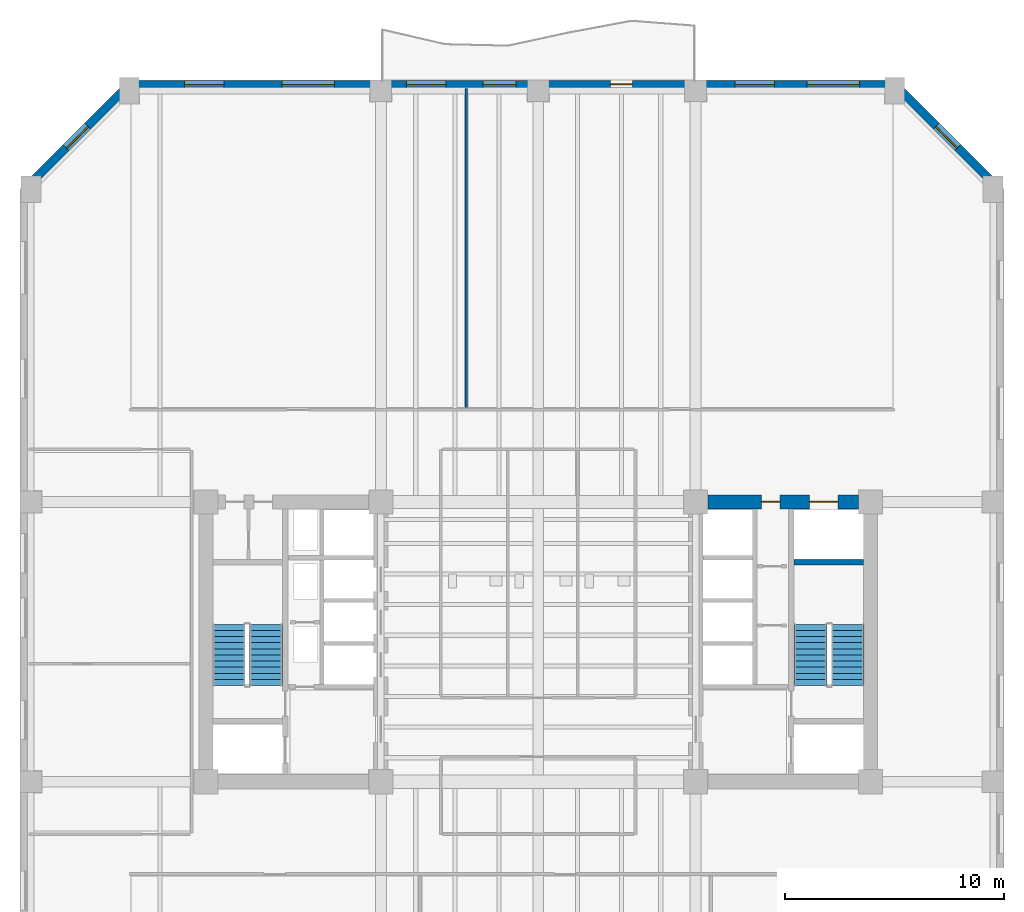
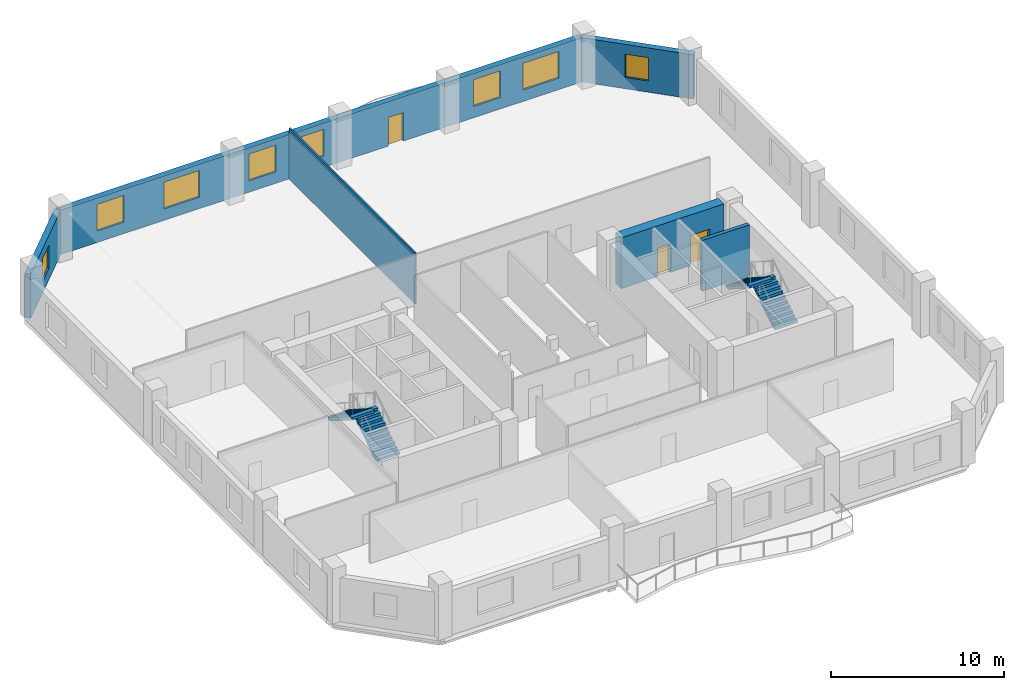
# One storey, part 5 of 10: 8 windows, 6 walls, 4 stair flights, 3 doors, 11 openings, 2 elements without a shape of their own.
"""IFC4 building model written with IfcOpenShell, lengths in metres."""

import ifcopenshell
import ifcopenshell.guid

model = None  # the IFC model being written
_history = None  # IfcOwnerHistory: only IFC2X3 demands one
_inside = {}  # id of a spatial element -> (the spatial element, [elements in it])
_under = {}  # id of a project, library or spatial element -> (it, [spatial elements below it])
_declared = {}  # id of a project -> (the project, [libraries it declares])
_typed = {}  # id of a type object -> (the type object, [elements of that type])
_made_of = {}  # id of a material, layer set ... -> (it, [elements and type objects made of it])


def new_model(schema):
    """Start an empty IFC model of exactly this schema.

    Asked for "IFC4X3", IfcOpenShell would pick the latest addendum, in which some entities
    have other attributes; the version numbers below select the first issue.
    IFC2X3 requires an IfcOwnerHistory on every rooted entity: one is made here for all.
    """
    global model, _history
    if schema == "IFC4X3":
        model = ifcopenshell.file(schema_version=(4, 3, 0, 0))
    else:
        model = ifcopenshell.file(schema=schema)
    _inside.clear()
    _under.clear()
    _declared.clear()
    _typed.clear()
    _made_of.clear()
    _history = None
    if model.schema == "IFC2X3":
        org = make("IfcOrganization", Name="unknown")
        user = make(
            "IfcPersonAndOrganization",
            ThePerson=make("IfcPerson", FamilyName="unknown"),
            TheOrganization=org,
        )
        app = make(
            "IfcApplication",
            ApplicationDeveloper=org,
            Version="unknown",
            ApplicationFullName="unknown",
            ApplicationIdentifier="unknown",
        )
        _history = make(
            "IfcOwnerHistory",
            OwningUser=user,
            OwningApplication=app,
            ChangeAction="ADDED",
            CreationDate=0,
        )
    return model


def make(cls, **values):
    """One entity of the class cls with the attributes given. An attribute that is None is left unset."""
    return model.create_entity(
        cls, **{name: value for name, value in values.items() if value is not None}
    )


def rooted(cls, **values):
    """An entity with a GlobalId (a new one), such as an element, a storey or a relation."""
    return make(cls, GlobalId=ifcopenshell.guid.new(), OwnerHistory=_history, **values)


def si_unit(unit_type, name, prefix=None):
    """IfcSIUnit, for example si_unit("LENGTHUNIT", "METRE", prefix="MILLI")."""
    return make("IfcSIUnit", UnitType=unit_type, Prefix=prefix, Name=name)


def assignment(units):
    """IfcUnitAssignment: the units of a project."""
    return None if units is None else make("IfcUnitAssignment", Units=units)


def point(xyz):
    """IfcCartesianPoint."""
    return None if xyz is None else make("IfcCartesianPoint", Coordinates=xyz)


def direction(xyz):
    """IfcDirection."""
    return None if xyz is None else make("IfcDirection", DirectionRatios=xyz)


def frame(location, z_axis=None, x_axis=None):
    """IfcAxis2Placement3D, a coordinate frame: its origin and axes. An axis left out is left unset."""
    return make(
        "IfcAxis2Placement3D",
        Location=point(location),
        Axis=direction(z_axis),
        RefDirection=direction(x_axis),
    )


def frame_2d(location, x_axis=None):
    """IfcAxis2Placement2D, a coordinate frame in the plane: its origin and x axis."""
    return make(
        "IfcAxis2Placement2D", Location=point(location), RefDirection=direction(x_axis)
    )


def origin():
    """The frame at (0, 0, 0) with its axes left unset."""
    return frame((0.0, 0.0, 0.0))


def place(relative_to, where):
    """IfcLocalPlacement: puts the frame where relative to a parent placement (None: the world)."""
    return make(
        "IfcLocalPlacement", PlacementRelTo=relative_to, RelativePlacement=where
    )


def context(
    kind, dimensions, precision=None, world=None, true_north=None, identifier=None
):
    """IfcGeometricRepresentationContext, for example the 3D "Model" context."""
    return make(
        "IfcGeometricRepresentationContext",
        ContextIdentifier=identifier,
        ContextType=kind,
        CoordinateSpaceDimension=dimensions,
        Precision=precision,
        WorldCoordinateSystem=world,
        TrueNorth=true_north,
    )


def subcontext(parent, identifier, kind, view, scale=None):
    """IfcGeometricRepresentationSubContext, for example "Body" below "Model"."""
    return make(
        "IfcGeometricRepresentationSubContext",
        ContextIdentifier=identifier,
        ContextType=kind,
        ParentContext=parent,
        TargetScale=scale,
        TargetView=view,
    )


def project(units=None, contexts=None):
    """IfcProject with its units and contexts."""
    return rooted(
        "IfcProject",
        Name="project",
        RepresentationContexts=contexts,
        UnitsInContext=assignment(units),
    )


def spatial(cls, under=None, at=None, **own):
    """A site, building, storey or space (cls), placed at a placement, below another one or the project."""
    s = rooted(cls, ObjectPlacement=at, **own)
    if under is not None:
        _under.setdefault(under.id(), (under, []))[1].append(s)
    return s


def polyline(points):
    """IfcPolyline through the points."""
    return make("IfcPolyline", Points=[point(p) for p in points])


def profile(cls, at=None, kind="AREA", **sizes):
    """A parametric profile (cls). Its sizes go by their IFC names, for example OverallWidth=200.0."""
    return make(cls, ProfileType=kind, Position=at, **sizes)


def rectangle(**sizes):
    """IfcRectangleProfileDef."""
    return profile("IfcRectangleProfileDef", **sizes)


def outline(outer, holes=None, kind="AREA"):
    """IfcArbitraryClosedProfileDef: a profile drawn as a closed curve; with holes, ...WithVoids."""
    if holes is None:
        return make("IfcArbitraryClosedProfileDef", ProfileType=kind, OuterCurve=outer)
    return make(
        "IfcArbitraryProfileDefWithVoids",
        ProfileType=kind,
        OuterCurve=outer,
        InnerCurves=holes,
    )


def extrude(swept, where, along, depth):
    """IfcExtrudedAreaSolid: the profile swept, set in the frame where, extruded along a direction by depth."""
    return make(
        "IfcExtrudedAreaSolid",
        SweptArea=swept,
        Position=where,
        ExtrudedDirection=direction(along),
        Depth=depth,
    )


def shape(context_of_items, identifier, shape_type, items):
    """IfcShapeRepresentation: the items that make up one representation, for example the "Body"."""
    return make(
        "IfcShapeRepresentation",
        ContextOfItems=context_of_items,
        RepresentationIdentifier=identifier,
        RepresentationType=shape_type,
        Items=items,
    )


def material(Name=None, Category=None):
    """IfcMaterial."""
    return make("IfcMaterial", Name=Name, Category=Category)


def layer(
    of_material, thickness, ventilated=None, Name=None, Category=None, Priority=None
):
    """IfcMaterialLayer: one layer of a wall or slab, of a material (None: an air gap)."""
    return make(
        "IfcMaterialLayer",
        Material=of_material,
        LayerThickness=thickness,
        IsVentilated=ventilated,
        Name=Name,
        Category=Category,
        Priority=Priority,
    )


def layer_set(layers, Name=None):
    """IfcMaterialLayerSet."""
    return make("IfcMaterialLayerSet", MaterialLayers=layers, LayerSetName=Name)


def made_of(thing, what):
    """Note that an element or type object is made of a material, layer set ...; save() writes the relation."""
    if what is not None:
        _made_of.setdefault(what.id(), (what, []))[1].append(thing)
    return thing


def type_object(cls, material=None, **own):
    """A type object (cls), such as IfcWallType, which elements share."""
    return made_of(rooted(cls, **own), material)


def element(
    cls,
    number,
    at=None,
    inside=None,
    cuts=None,
    type_object=None,
    material=None,
    context=None,
    identifier="Body",
    shape_type=None,
    held_by="IfcProductDefinitionShape",
    body=None,
    shapes=None,
    **own,
):
    """One element of the class cls, such as IfcWall. Its Tag is "e" and its number.

    at: its placement. inside: the storey or other place that contains it. cuts: it is an
    opening in that element (IfcRelVoidsElement). A single representation is given by context,
    identifier, shape_type and body (its items); several are given by shapes. held_by: the class
    of the entity that holds the representations. save() writes the other relations.
    """
    e = rooted(cls, Tag="e%d" % number, ObjectPlacement=at, **own)
    if body is not None:
        shapes = [shape(context, identifier, shape_type, body)]
    if shapes is not None:
        e.Representation = make(held_by, Representations=shapes)
    if inside is not None:
        _inside.setdefault(inside.id(), (inside, []))[1].append(e)
    if cuts is not None:
        rooted(
            "IfcRelVoidsElement", RelatingBuildingElement=cuts, RelatedOpeningElement=e
        )
    if type_object is not None:
        _typed.setdefault(type_object.id(), (type_object, []))[1].append(e)
    return made_of(e, material)


def fill(opening, filler):
    """IfcRelFillsElement: the door or window that sits in an opening."""
    return rooted(
        "IfcRelFillsElement",
        RelatingOpeningElement=opening,
        RelatedBuildingElement=filler,
    )


def aggregate(whole, parts):
    """IfcRelAggregates: a whole, such as a stair, and the parts it consists of."""
    return rooted("IfcRelAggregates", RelatingObject=whole, RelatedObjects=parts)


def save(model, path):
    """Write the relations noted so far, then the file.

    IfcRelAggregates (storeys below a building ...), IfcRelContainedInSpatialStructure (elements
    in a storey), IfcRelDefinesByType, IfcRelAssociatesMaterial and IfcRelDeclares: one each for
    every whole, place, type object, material and project.
    """
    for whole, parts in _under.values():
        aggregate(whole, parts)
    for where, things in _inside.values():
        rooted(
            "IfcRelContainedInSpatialStructure",
            RelatedElements=things,
            RelatingStructure=where,
        )
    for kind, things in _typed.values():
        rooted("IfcRelDefinesByType", RelatedObjects=things, RelatingType=kind)
    for what, things in _made_of.values():
        rooted("IfcRelAssociatesMaterial", RelatedObjects=things, RelatingMaterial=what)
    for by, libraries in _declared.values():
        rooted("IfcRelDeclares", RelatingContext=by, RelatedDefinitions=libraries)
    model.write(path)


model = new_model("IFC4")

# Units and contexts
model_context = context("Model", 3, precision=1e-05, world=origin(), true_north=direction((0.0, 1.0)))
body_context = subcontext(model_context, "Body", "Model", "MODEL_VIEW")
ifc_project = project(units=[si_unit("LENGTHUNIT", "METRE"), si_unit("AREAUNIT", "SQUARE_METRE"), si_unit("VOLUMEUNIT", "CUBIC_METRE"), si_unit("PLANEANGLEUNIT", "RADIAN"), si_unit("MASSUNIT", "GRAM", prefix="KILO")], contexts=[model_context])

# Site, building, storey
site_placement = place(None, origin())
site = spatial("IfcSite", under=ifc_project, at=site_placement, CompositionType="ELEMENT")
building_placement = place(site_placement, origin())
building = spatial("IfcBuilding", under=site, at=building_placement, Name="Kranthara Brick Stack", CompositionType="ELEMENT")
storey_placement = place(building_placement, frame((0.0, 0.0, 98.39990234375)))
storey = spatial("IfcBuildingStorey", under=building, at=storey_placement, Name="L24", CompositionType="ELEMENT", Elevation=98.39990234375)

# Wall, opening, window
ifc_material_1 = material(Name="Kiln-fired clay brick masonry M15", Category="masonry")
ifc_layer_1 = layer(ifc_material_1, 0.3798828125)
ifc_layer_set_1 = layer_set([ifc_layer_1], Name="Kiln-fired clay brick masonry M15")
wall_type_1 = type_object("IfcWallType", Name="WL-BRK-PIER-380", PredefinedType="STANDARD", material=ifc_layer_set_1)
wall_1_placement = place(storey_placement, frame((4.510009765625, 47.89990234375, 0.0), z_axis=(0.0, 0.0, 1.0), x_axis=(0.707106781187, 0.707106781187, 0.0)))
wall_1 = element("IfcWall", 1, at=wall_1_placement, inside=storey, type_object=wall_type_1, Name="L24 Exterior Brick Facade Wall NW 1", PredefinedType="STANDARD", context=body_context, shape_type="SweptSolid", body=[
    extrude(rectangle(XDim=6.774169921875, YDim=0.3798828125, at=frame_2d((3.38720703125, 0.0))), origin(), (0.0, 0.0, 1.0), 3.135009765625),
])
opening_1_placement = place(wall_1_placement, frame((2.68701171875, 0.0, 0.800048828125)))
opening_1 = element("IfcOpeningElement", 2, at=opening_1_placement, cuts=wall_1, Name="Opening WN10", PredefinedType="OPENING", context=body_context, shape_type="SweptSolid", body=[
    extrude(rectangle(XDim=1.39990234375, YDim=1.64990234375, at=frame_2d((0.699951171875, 0.824951171875))), frame((0.0, 0.199951171875, 0.0), z_axis=(0.0, -1.0, 0.0), x_axis=(1.0, 0.0, 0.0)), (0.0, 0.0, 1.0), 0.39990234375),
])
ifc_material_2 = material(Name="Double-glazed low-E solar control glass", Category="glass")
window_type_1 = type_object("IfcWindowType", Name="WN-CHM-1400x1750", PartitioningType="SINGLE_PANEL", PredefinedType="WINDOW", material=ifc_material_2)
window_1_placement = place(opening_1_placement, origin())
window_1 = element("IfcWindow", 3, at=window_1_placement, inside=storey, type_object=window_type_1, Name="L24 NW Chamfer Corner Window", OverallHeight=1.64990234375, OverallWidth=1.39990234375, PartitioningType="SINGLE_PANEL", PredefinedType="WINDOW", context=body_context, shape_type="SweptSolid", body=[
    extrude(rectangle(XDim=1.39990234375, YDim=1.64990234375, at=frame_2d((0.699951171875, 0.824951171875))), frame((0.0, -0.010009765625, 0.0), z_axis=(0.0, -1.0, 0.0), x_axis=(1.0, 0.0, 0.0)), (0.0, 0.0, 1.0), 0.06005859375),
])
fill(opening_1, window_1)

# Wall, openings, door, windows
wall_2_placement = place(storey_placement, frame((9.300048828125, 52.68994140625, 0.0), z_axis=(0.0, 0.0, 1.0), x_axis=(1.0, 0.0, 0.0)))
wall_2 = element("IfcWall", 4, at=wall_2_placement, inside=storey, type_object=wall_type_1, Name="L24 Exterior Brick Facade Wall NORTH 1", PredefinedType="STANDARD", context=body_context, shape_type="SweptSolid", body=[
    extrude(rectangle(XDim=35.0, YDim=0.3798828125, at=frame_2d((17.5, 0.0))), origin(), (0.0, 0.0, 1.0), 3.135009765625),
])
opening_2_placement = place(wall_2_placement, frame((22.0, 0.0, 0.0)))
opening_2 = element("IfcOpeningElement", 5, at=opening_2_placement, cuts=wall_2, Name="Opening D03", PredefinedType="OPENING", context=body_context, shape_type="SweptSolid", body=[
    extrude(rectangle(XDim=1.0, YDim=2.02001953125, at=frame_2d((0.5, 1.010009765625))), frame((0.0, 0.199951171875, 0.0), z_axis=(0.0, -1.0, 0.0), x_axis=(1.0, 0.0, 0.0)), (0.0, 0.0, 1.0), 0.39990234375),
])
opening_3_placement = place(wall_2_placement, frame((2.52392578125, 0.0, 0.800048828125)))
opening_3 = element("IfcOpeningElement", 6, at=opening_3_placement, cuts=wall_2, Name="Opening WN01", PredefinedType="OPENING", context=body_context, shape_type="SweptSolid", body=[
    extrude(rectangle(XDim=1.800048828125, YDim=1.89990234375, at=frame_2d((0.89990234375, 0.949951171875))), frame((0.0, 0.199951171875, 0.0), z_axis=(0.0, -1.0, 0.0), x_axis=(1.0, 0.0, 0.0)), (0.0, 0.0, 1.0), 0.39990234375),
])
opening_4_placement = place(wall_2_placement, frame((6.97607421875, 0.0, 0.800048828125)))
opening_4 = element("IfcOpeningElement", 7, at=opening_4_placement, cuts=wall_2, Name="Opening WN02", PredefinedType="OPENING", context=body_context, shape_type="SweptSolid", body=[
    extrude(rectangle(XDim=2.39990234375, YDim=1.89990234375, at=frame_2d((1.199951171875, 0.949951171875))), frame((0.0, 0.199951171875, 0.0), z_axis=(0.0, -1.0, 0.0), x_axis=(1.0, 0.0, 0.0)), (0.0, 0.0, 1.0), 0.39990234375),
])
opening_5_placement = place(wall_2_placement, frame((12.675048828125, 0.0, 0.800048828125)))
opening_5 = element("IfcOpeningElement", 8, at=opening_5_placement, cuts=wall_2, Name="Opening WN01", PredefinedType="OPENING", context=body_context, shape_type="SweptSolid", body=[
    extrude(rectangle(XDim=1.800048828125, YDim=1.89990234375, at=frame_2d((0.89990234375, 0.949951171875))), frame((0.0, 0.199951171875, 0.0), z_axis=(0.0, -1.0, 0.0), x_axis=(1.0, 0.0, 0.0)), (0.0, 0.0, 1.0), 0.39990234375),
])
opening_6_placement = place(wall_2_placement, frame((16.175048828125, 0.0, 0.800048828125)))
opening_6 = element("IfcOpeningElement", 9, at=opening_6_placement, cuts=wall_2, Name="Opening WN03", PredefinedType="OPENING", context=body_context, shape_type="SweptSolid", body=[
    extrude(rectangle(XDim=1.5, YDim=1.89990234375, at=frame_2d((0.75, 0.949951171875))), frame((0.0, 0.199951171875, 0.0), z_axis=(0.0, -1.0, 0.0), x_axis=(1.0, 0.0, 0.0)), (0.0, 0.0, 1.0), 0.39990234375),
])
opening_7_placement = place(wall_2_placement, frame((27.699951171875, 0.0, 0.800048828125)))
opening_7 = element("IfcOpeningElement", 10, at=opening_7_placement, cuts=wall_2, Name="Opening WN01", PredefinedType="OPENING", context=body_context, shape_type="SweptSolid", body=[
    extrude(rectangle(XDim=1.800048828125, YDim=1.89990234375, at=frame_2d((0.89990234375, 0.949951171875))), frame((0.0, 0.199951171875, 0.0), z_axis=(0.0, -1.0, 0.0), x_axis=(1.0, 0.0, 0.0)), (0.0, 0.0, 1.0), 0.39990234375),
])
opening_8_placement = place(wall_2_placement, frame((31.0, 0.0, 0.800048828125)))
opening_8 = element("IfcOpeningElement", 11, at=opening_8_placement, cuts=wall_2, Name="Opening WN02", PredefinedType="OPENING", context=body_context, shape_type="SweptSolid", body=[
    extrude(rectangle(XDim=2.39990234375, YDim=1.89990234375, at=frame_2d((1.199951171875, 0.949951171875))), frame((0.0, 0.199951171875, 0.0), z_axis=(0.0, -1.0, 0.0), x_axis=(1.0, 0.0, 0.0)), (0.0, 0.0, 1.0), 0.39990234375),
])
ifc_material_3 = material(Name="Bronze anodised aluminium and laminated glass", Category="aluminium")
door_type_1 = type_object("IfcDoorType", Name="DR-BALC-1000", OperationType="NOTDEFINED", PredefinedType="DOOR", material=ifc_material_3)
door_1_placement = place(opening_2_placement, origin())
door_1 = element("IfcDoor", 12, at=door_1_placement, inside=storey, type_object=door_type_1, Name="L24 North Balcony Terrace Door", OperationType="SINGLE_SWING_RIGHT", OverallHeight=2.02001953125, OverallWidth=1.0, PredefinedType="DOOR", context=body_context, shape_type="SweptSolid", body=[
    extrude(rectangle(XDim=1.0, YDim=2.02001953125, at=frame_2d((0.5, 1.010009765625))), frame((0.0, 0.02490234375, 0.0), z_axis=(0.0, -1.0, 0.0), x_axis=(1.0, 0.0, 0.0)), (0.0, 0.0, 1.0), 0.050048828125),
])
fill(opening_2, door_1)
ifc_material_4 = material(Name="Double-glazed low-E solar control glass", Category="glass")
window_type_2 = type_object("IfcWindowType", Name="WN-OFF-1500x2000", PartitioningType="SINGLE_PANEL", PredefinedType="WINDOW", material=ifc_material_4)
window_2_placement = place(opening_6_placement, origin())
window_2 = element("IfcWindow", 13, at=window_2_placement, inside=storey, type_object=window_type_2, Name="L24 North Deep-Set Brick Window 04", OverallHeight=1.89990234375, OverallWidth=1.5, PartitioningType="SINGLE_PANEL", PredefinedType="WINDOW", context=body_context, shape_type="SweptSolid", body=[
    extrude(rectangle(XDim=1.5, YDim=1.89990234375, at=frame_2d((0.75, 0.949951171875))), frame((0.0, -0.010009765625, 0.0), z_axis=(0.0, -1.0, 0.0), x_axis=(1.0, 0.0, 0.0)), (0.0, 0.0, 1.0), 0.06005859375),
])
fill(opening_6, window_2)
ifc_material_5 = material(Name="Double-glazed low-E solar control glass", Category="glass")
window_type_3 = type_object("IfcWindowType", Name="WN-OFF-1800x2000", PartitioningType="SINGLE_PANEL", PredefinedType="WINDOW", material=ifc_material_5)
window_3_placement = place(opening_3_placement, origin())
window_3 = element("IfcWindow", 14, at=window_3_placement, inside=storey, type_object=window_type_3, Name="L24 North Deep-Set Brick Window 01", OverallHeight=1.89990234375, OverallWidth=1.800048828125, PartitioningType="SINGLE_PANEL", PredefinedType="WINDOW", context=body_context, shape_type="SweptSolid", body=[
    extrude(rectangle(XDim=1.800048828125, YDim=1.89990234375, at=frame_2d((0.89990234375, 0.949951171875))), frame((0.0, -0.010009765625, 0.0), z_axis=(0.0, -1.0, 0.0), x_axis=(1.0, 0.0, 0.0)), (0.0, 0.0, 1.0), 0.06005859375),
])
fill(opening_3, window_3)
window_4_placement = place(opening_5_placement, origin())
window_4 = element("IfcWindow", 15, at=window_4_placement, inside=storey, type_object=window_type_3, Name="L24 North Deep-Set Brick Window 03", OverallHeight=1.89990234375, OverallWidth=1.800048828125, PartitioningType="SINGLE_PANEL", PredefinedType="WINDOW", context=body_context, shape_type="SweptSolid", body=[
    extrude(rectangle(XDim=1.800048828125, YDim=1.89990234375, at=frame_2d((0.89990234375, 0.949951171875))), frame((0.0, -0.010009765625, 0.0), z_axis=(0.0, -1.0, 0.0), x_axis=(1.0, 0.0, 0.0)), (0.0, 0.0, 1.0), 0.06005859375),
])
fill(opening_5, window_4)
window_5_placement = place(opening_7_placement, origin())
window_5 = element("IfcWindow", 16, at=window_5_placement, inside=storey, type_object=window_type_3, Name="L24 North Deep-Set Brick Window 05", OverallHeight=1.89990234375, OverallWidth=1.800048828125, PartitioningType="SINGLE_PANEL", PredefinedType="WINDOW", context=body_context, shape_type="SweptSolid", body=[
    extrude(rectangle(XDim=1.800048828125, YDim=1.89990234375, at=frame_2d((0.89990234375, 0.949951171875))), frame((0.0, -0.010009765625, 0.0), z_axis=(0.0, -1.0, 0.0), x_axis=(1.0, 0.0, 0.0)), (0.0, 0.0, 1.0), 0.06005859375),
])
fill(opening_7, window_5)
ifc_material_6 = material(Name="Double-glazed low-E solar control glass", Category="glass")
window_type_4 = type_object("IfcWindowType", Name="WN-OFF-2400x2000", PartitioningType="DOUBLE_PANEL_VERTICAL", PredefinedType="WINDOW", material=ifc_material_6)
window_6_placement = place(opening_4_placement, origin())
window_6 = element("IfcWindow", 17, at=window_6_placement, inside=storey, type_object=window_type_4, Name="L24 North Deep-Set Brick Window 02", OverallHeight=1.89990234375, OverallWidth=2.39990234375, PartitioningType="SINGLE_PANEL", PredefinedType="WINDOW", context=body_context, shape_type="SweptSolid", body=[
    extrude(rectangle(XDim=2.39990234375, YDim=1.89990234375, at=frame_2d((1.199951171875, 0.949951171875))), frame((0.0, -0.010009765625, 0.0), z_axis=(0.0, -1.0, 0.0), x_axis=(1.0, 0.0, 0.0)), (0.0, 0.0, 1.0), 0.06005859375),
])
fill(opening_4, window_6)
window_7_placement = place(opening_8_placement, origin())
window_7 = element("IfcWindow", 18, at=window_7_placement, inside=storey, type_object=window_type_4, Name="L24 North Deep-Set Brick Window 06", OverallHeight=1.89990234375, OverallWidth=2.39990234375, PartitioningType="SINGLE_PANEL", PredefinedType="WINDOW", context=body_context, shape_type="SweptSolid", body=[
    extrude(rectangle(XDim=2.39990234375, YDim=1.89990234375, at=frame_2d((1.199951171875, 0.949951171875))), frame((0.0, -0.010009765625, 0.0), z_axis=(0.0, -1.0, 0.0), x_axis=(1.0, 0.0, 0.0)), (0.0, 0.0, 1.0), 0.06005859375),
])
fill(opening_8, window_7)

# Wall, opening, window
wall_3_placement = place(storey_placement, frame((44.300048828125, 52.68994140625, 0.0), z_axis=(0.0, 0.0, 1.0), x_axis=(0.707106781187, -0.707106781187, 0.0)))
wall_3 = element("IfcWall", 19, at=wall_3_placement, inside=storey, type_object=wall_type_1, Name="L24 Exterior Brick Facade Wall NE 1", PredefinedType="STANDARD", context=body_context, shape_type="SweptSolid", body=[
    extrude(rectangle(XDim=6.774169921875, YDim=0.3798828125, at=frame_2d((3.38720703125, 0.0))), origin(), (0.0, 0.0, 1.0), 3.135009765625),
])
opening_9_placement = place(wall_3_placement, frame((2.68701171875, 0.0, 0.800048828125)))
opening_9 = element("IfcOpeningElement", 20, at=opening_9_placement, cuts=wall_3, Name="Opening WN10", PredefinedType="OPENING", context=body_context, shape_type="SweptSolid", body=[
    extrude(rectangle(XDim=1.39990234375, YDim=1.64990234375, at=frame_2d((0.699951171875, 0.824951171875))), frame((0.0, 0.199951171875, 0.0), z_axis=(0.0, -1.0, 0.0), x_axis=(1.0, 0.0, 0.0)), (0.0, 0.0, 1.0), 0.39990234375),
])
window_8_placement = place(opening_9_placement, origin())
window_8 = element("IfcWindow", 21, at=window_8_placement, inside=storey, type_object=window_type_1, Name="L24 NE Chamfer Corner Window", OverallHeight=1.64990234375, OverallWidth=1.39990234375, PartitioningType="SINGLE_PANEL", PredefinedType="WINDOW", context=body_context, shape_type="SweptSolid", body=[
    extrude(rectangle(XDim=1.39990234375, YDim=1.64990234375, at=frame_2d((0.699951171875, 0.824951171875))), frame((0.0, -0.010009765625, 0.0), z_axis=(0.0, -1.0, 0.0), x_axis=(1.0, 0.0, 0.0)), (0.0, 0.0, 1.0), 0.06005859375),
])
fill(opening_9, window_8)

# Wall
ifc_material_7 = material(Name="Concrete C50/60", Category="concrete")
ifc_layer_2 = layer(ifc_material_7, 0.25)
ifc_layer_set_2 = layer_set([ifc_layer_2], Name="Concrete C50/60")
wall_type_2 = type_object("IfcWallType", Name="WL-CORE-250", PredefinedType="SHEAR", material=ifc_layer_set_2)
wall_4_placement = place(storey_placement, frame((39.68994140625, 30.830078125, 0.0), z_axis=(0.0, 0.0, 1.0), x_axis=(1.0, 0.0, 0.0)))
element("IfcWall", 22, at=wall_4_placement, inside=storey, type_object=wall_type_2, Name="L24 East Stairwell Bearing Wall EST", PredefinedType="SHEAR", context=body_context, shape_type="SweptSolid", body=[
    extrude(rectangle(XDim=3.175048828125, YDim=0.25, at=frame_2d((1.58740234375, 0.0))), origin(), (0.0, 0.0, 1.0), 3.60009765625),
])

# Wall, openings, doors
ifc_material_8 = material(Name="Concrete C60/75", Category="concrete")
ifc_layer_3 = layer(ifc_material_8, 0.64990234375)
ifc_layer_set_3 = layer_set([ifc_layer_3], Name="Concrete C60/75")
wall_type_3 = type_object("IfcWallType", Name="WL-CORE-650", PredefinedType="SHEAR", material=ifc_layer_set_3)
wall_5_placement = place(storey_placement, frame((35.7548828125, 33.60009765625, 0.0), z_axis=(0.0, 0.0, 1.0), x_axis=(1.0, 0.0, 0.0)))
wall_5 = element("IfcWall", 23, at=wall_5_placement, inside=storey, type_object=wall_type_3, Name="L24 East Core Shear Wall North", PredefinedType="SHEAR", context=body_context, shape_type="SweptSolid", body=[
    extrude(rectangle(XDim=6.89013671875, YDim=0.64990234375, at=frame_2d((3.445068359375, 0.0))), origin(), (0.0, 0.0, 1.0), 3.60009765625),
])
opening_10_placement = place(wall_5_placement, frame((4.64501953125, 0.0, 0.0)))
opening_10 = element("IfcOpeningElement", 24, at=opening_10_placement, cuts=wall_5, Name="Opening LD03", PredefinedType="OPENING", context=body_context, shape_type="SweptSolid", body=[
    extrude(rectangle(XDim=1.300048828125, YDim=2.14990234375, at=frame_2d((0.64990234375, 1.074951171875))), frame((0.0, 0.3349609375, 0.0), z_axis=(0.0, -1.0, 0.0), x_axis=(1.0, 0.0, 0.0)), (0.0, 0.0, 1.0), 0.669921875),
])
opening_11_placement = place(wall_5_placement, frame((2.445068359375, 0.0, 0.0)))
opening_11 = element("IfcOpeningElement", 25, at=opening_11_placement, cuts=wall_5, Name="Opening D10", PredefinedType="OPENING", context=body_context, shape_type="SweptSolid", body=[
    extrude(rectangle(XDim=0.85009765625, YDim=2.02001953125, at=frame_2d((0.425048828125, 1.010009765625))), frame((0.0, 0.3349609375, 0.0), z_axis=(0.0, -1.0, 0.0), x_axis=(1.0, 0.0, 0.0)), (0.0, 0.0, 1.0), 0.669921875),
])
ifc_material_9 = material(Name="Stainless steel sliding landing door", Category="steel")
door_type_2 = type_object("IfcDoorType", Name="DR-LD-SV1300", OperationType="DOUBLE_DOOR_SLIDING", PredefinedType="DOOR", material=ifc_material_9)
door_2_placement = place(opening_10_placement, origin())
door_2 = element("IfcDoor", 26, at=door_2_placement, inside=storey, type_object=door_type_2, Name="L24 Stretcher Service Lift SV-01 Landing Door", OperationType="DOUBLE_DOOR_SLIDING", OverallHeight=2.14990234375, OverallWidth=1.300048828125, PredefinedType="DOOR", context=body_context, shape_type="SweptSolid", body=[
    extrude(rectangle(XDim=1.300048828125, YDim=2.14990234375, at=frame_2d((0.64990234375, 1.074951171875))), frame((0.0, 0.02490234375, 0.0), z_axis=(0.0, -1.0, 0.0), x_axis=(1.0, 0.0, 0.0)), (0.0, 0.0, 1.0), 0.050048828125),
])
fill(opening_10, door_2)
ifc_material_10 = material(Name="Solid-core hardwood timber leaf in steel frame", Category="steel")
door_type_3 = type_object("IfcDoorType", Name="DR-RSR-850", OperationType="NOTDEFINED", PredefinedType="DOOR", material=ifc_material_10)
door_3_placement = place(opening_11_placement, origin())
door_3 = element("IfcDoor", 27, at=door_3_placement, inside=storey, type_object=door_type_3, Name="L24 East Core Service Room Door", OperationType="SINGLE_SWING_LEFT", OverallHeight=2.02001953125, OverallWidth=0.85009765625, PredefinedType="DOOR", context=body_context, shape_type="SweptSolid", body=[
    extrude(rectangle(XDim=0.85009765625, YDim=2.02001953125, at=frame_2d((0.425048828125, 1.010009765625))), frame((0.0, 0.02490234375, 0.0), z_axis=(0.0, -1.0, 0.0), x_axis=(1.0, 0.0, 0.0)), (0.0, 0.0, 1.0), 0.050048828125),
])
fill(opening_11, door_3)

# Wall
ifc_material_11 = material(Name="Acoustic gypsum plasterboard partition", Category="other")
ifc_layer_4 = layer(ifc_material_11, 0.1201171875)
ifc_layer_set_4 = layer_set([ifc_layer_4], Name="Acoustic gypsum plasterboard partition")
wall_type_4 = type_object("IfcWallType", Name="WL-PART-120", PredefinedType="PARTITIONING", material=ifc_layer_set_4)
wall_6_placement = place(storey_placement, frame((24.699951171875, 37.919921875, 0.0), z_axis=(0.0, 0.0, 1.0), x_axis=(0.0, 1.0, 0.0)))
element("IfcWall", 28, at=wall_6_placement, inside=storey, type_object=wall_type_4, Name="L24 Interior Partition 019", PredefinedType="PARTITIONING", context=body_context, shape_type="SweptSolid", body=[
    extrude(rectangle(XDim=14.5751953125, YDim=0.1201171875, at=frame_2d((7.28759765625, 0.0))), origin(), (0.0, 0.0, 1.0), 3.60009765625),
])

# Stair, stair flights
ifc_material_12 = material(Name="Concrete C45/55", Category="concrete")
stair_type = type_object("IfcStairType", Name="ST-CORE-22R", PredefinedType="HALF_TURN_STAIR", material=ifc_material_12)
stair_1_placement = place(storey_placement, origin())
stair_1 = element("IfcStair", 29, at=stair_1_placement, inside=storey, type_object=stair_type, Name="L24 West Core Protected Exit Stair ST01", PredefinedType="HALF_TURN_STAIR")
ifc_material_13 = material(Name="Concrete C45/55", Category="concrete")
stair_flight_type = type_object("IfcStairFlightType", Name="SFL-RC-22R", PredefinedType="STRAIGHT", material=ifc_material_13)
stair_flight_1_placement = place(storey_placement, frame((15.550048828125, 25.199951171875, 0.0), z_axis=(0.0, 0.0, 1.0), x_axis=(0.0, 1.0, 0.0)))
stair_flight_1 = element("IfcStairFlight", 30, at=stair_flight_1_placement, type_object=stair_flight_type, Name="ST01 flight 1", NumberOfRisers=11, NumberOfTreads=10, PredefinedType="STRAIGHT", RiserHeight=0.177272727, TreadLength=0.28, context=body_context, shape_type="SweptSolid", body=[
    extrude(outline(polyline([(0.0, 0.0), (0.0, 0.17724609375), (0.280029296875, 0.17724609375), (0.280029296875, 0.3544921875), (0.56005859375, 0.3544921875), (0.56005859375, 0.53173828125), (0.840087890625, 0.53173828125), (0.840087890625, 0.708984375), (1.1201171875, 0.708984375), (1.1201171875, 0.886474609375), (1.39990234375, 0.886474609375), (1.39990234375, 1.063720703125), (1.679931640625, 1.063720703125), (1.679931640625, 1.240966796875), (1.9599609375, 1.240966796875), (1.9599609375, 1.418212890625), (2.239990234375, 1.418212890625), (2.239990234375, 1.595458984375), (2.52001953125, 1.595458984375), (2.52001953125, 1.772705078125), (2.800048828125, 1.772705078125), (2.800048828125, 1.949951171875), (2.800048828125, 1.59521484375), (0.2802734375, 0.0), (0.0, 0.0)])), frame((0.0, 0.75, 0.0), z_axis=(0.0, -1.0, 0.0), x_axis=(1.0, 0.0, 0.0)), (0.0, 0.0, 1.0), 1.5),
])
stair_flight_2_placement = place(storey_placement, frame((13.85009765625, 28.0, 1.9501953125), z_axis=(0.0, 0.0, 1.0), x_axis=(0.0, -1.0, 0.0)))
stair_flight_2 = element("IfcStairFlight", 31, at=stair_flight_2_placement, type_object=stair_flight_type, Name="ST01 flight 2", NumberOfRisers=11, NumberOfTreads=10, PredefinedType="STRAIGHT", RiserHeight=0.177272727, TreadLength=0.28, context=body_context, shape_type="SweptSolid", body=[
    extrude(outline(polyline([(0.0, 0.0), (0.0, 0.17724609375), (0.280029296875, 0.17724609375), (0.280029296875, 0.3544921875), (0.56005859375, 0.3544921875), (0.56005859375, 0.53173828125), (0.840087890625, 0.53173828125), (0.840087890625, 0.708984375), (1.1201171875, 0.708984375), (1.1201171875, 0.886474609375), (1.39990234375, 0.886474609375), (1.39990234375, 1.063720703125), (1.679931640625, 1.063720703125), (1.679931640625, 1.240966796875), (1.9599609375, 1.240966796875), (1.9599609375, 1.418212890625), (2.239990234375, 1.418212890625), (2.239990234375, 1.595458984375), (2.52001953125, 1.595458984375), (2.52001953125, 1.772705078125), (2.800048828125, 1.772705078125), (2.800048828125, 1.949951171875), (2.800048828125, 1.59521484375), (0.2802734375, 0.0), (0.0, 0.0)])), frame((0.0, 0.75, 0.0), z_axis=(0.0, -1.0, 0.0), x_axis=(1.0, 0.0, 0.0)), (0.0, 0.0, 1.0), 1.5),
])
aggregate(stair_1, [stair_flight_1, stair_flight_2])

stair_2_placement = place(storey_placement, origin())
stair_2 = element("IfcStair", 32, at=stair_2_placement, inside=storey, type_object=stair_type, Name="L24 East Core Protected Exit Stair ST02", PredefinedType="HALF_TURN_STAIR")
stair_flight_3_placement = place(storey_placement, frame((42.14990234375, 25.199951171875, 0.0), z_axis=(0.0, 0.0, 1.0), x_axis=(0.0, 1.0, 0.0)))
stair_flight_3 = element("IfcStairFlight", 33, at=stair_flight_3_placement, type_object=stair_flight_type, Name="ST02 flight 1", NumberOfRisers=11, NumberOfTreads=10, PredefinedType="STRAIGHT", RiserHeight=0.177272727, TreadLength=0.28, context=body_context, shape_type="SweptSolid", body=[
    extrude(outline(polyline([(0.0, 0.0), (0.0, 0.17724609375), (0.280029296875, 0.17724609375), (0.280029296875, 0.3544921875), (0.56005859375, 0.3544921875), (0.56005859375, 0.53173828125), (0.840087890625, 0.53173828125), (0.840087890625, 0.708984375), (1.1201171875, 0.708984375), (1.1201171875, 0.886474609375), (1.39990234375, 0.886474609375), (1.39990234375, 1.063720703125), (1.679931640625, 1.063720703125), (1.679931640625, 1.240966796875), (1.9599609375, 1.240966796875), (1.9599609375, 1.418212890625), (2.239990234375, 1.418212890625), (2.239990234375, 1.595458984375), (2.52001953125, 1.595458984375), (2.52001953125, 1.772705078125), (2.800048828125, 1.772705078125), (2.800048828125, 1.949951171875), (2.800048828125, 1.59521484375), (0.2802734375, 0.0), (0.0, 0.0)])), frame((0.0, 0.75, 0.0), z_axis=(0.0, -1.0, 0.0), x_axis=(1.0, 0.0, 0.0)), (0.0, 0.0, 1.0), 1.5),
])
stair_flight_4_placement = place(storey_placement, frame((40.449951171875, 28.0, 1.9501953125), z_axis=(0.0, 0.0, 1.0), x_axis=(0.0, -1.0, 0.0)))
stair_flight_4 = element("IfcStairFlight", 34, at=stair_flight_4_placement, type_object=stair_flight_type, Name="ST02 flight 2", NumberOfRisers=11, NumberOfTreads=10, PredefinedType="STRAIGHT", RiserHeight=0.177272727, TreadLength=0.28, context=body_context, shape_type="SweptSolid", body=[
    extrude(outline(polyline([(0.0, 0.0), (0.0, 0.17724609375), (0.280029296875, 0.17724609375), (0.280029296875, 0.3544921875), (0.56005859375, 0.3544921875), (0.56005859375, 0.53173828125), (0.840087890625, 0.53173828125), (0.840087890625, 0.708984375), (1.1201171875, 0.708984375), (1.1201171875, 0.886474609375), (1.39990234375, 0.886474609375), (1.39990234375, 1.063720703125), (1.679931640625, 1.063720703125), (1.679931640625, 1.240966796875), (1.9599609375, 1.240966796875), (1.9599609375, 1.418212890625), (2.239990234375, 1.418212890625), (2.239990234375, 1.595458984375), (2.52001953125, 1.595458984375), (2.52001953125, 1.772705078125), (2.800048828125, 1.772705078125), (2.800048828125, 1.949951171875), (2.800048828125, 1.59521484375), (0.2802734375, 0.0), (0.0, 0.0)])), frame((0.0, 0.75, 0.0), z_axis=(0.0, -1.0, 0.0), x_axis=(1.0, 0.0, 0.0)), (0.0, 0.0, 1.0), 1.5),
])
aggregate(stair_2, [stair_flight_3, stair_flight_4])

save(model, "model.ifc")
